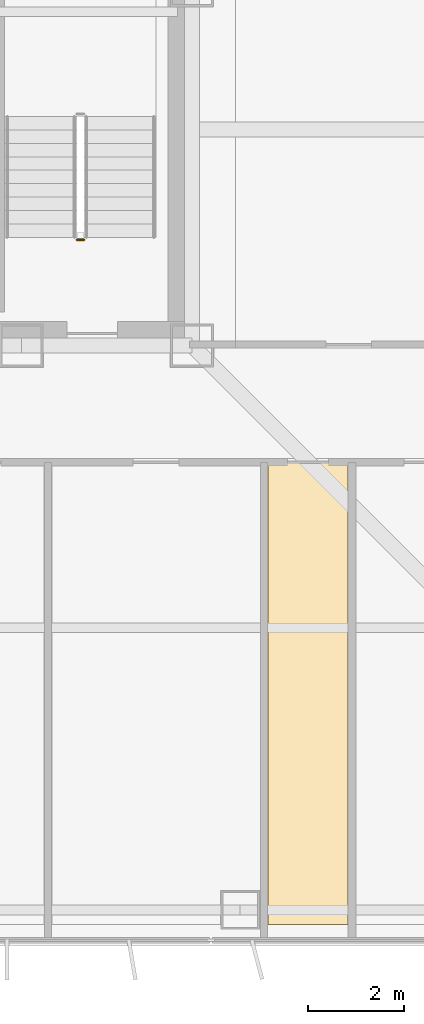
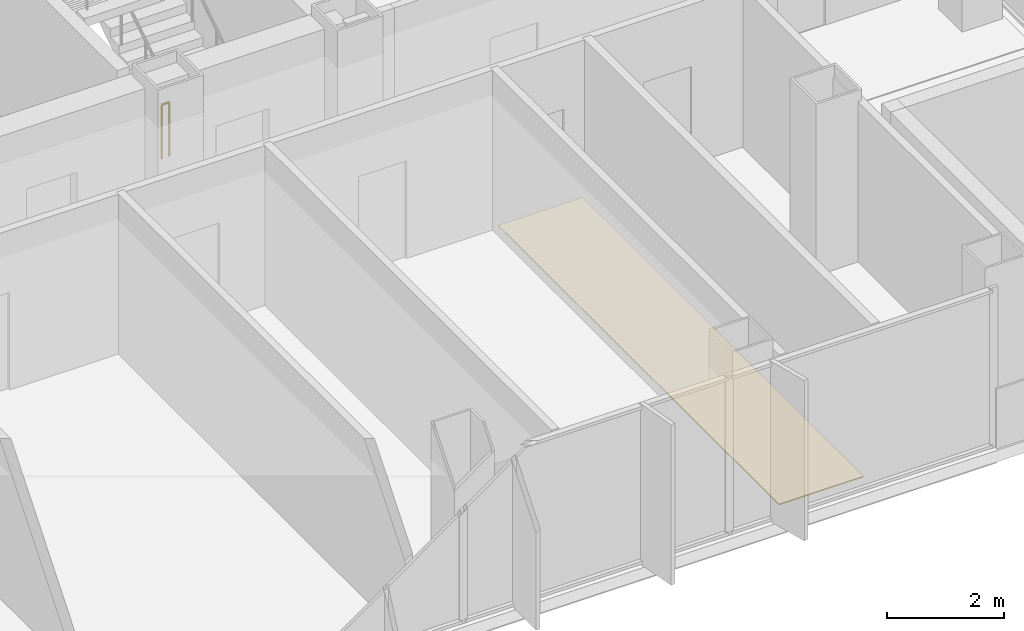
# One storey, part 14 of 18: 1 covering, 1 railing.
"""IFC4 building model written with IfcOpenShell, lengths in metres."""

import ifcopenshell
import ifcopenshell.guid

model = None  # the IFC model being written
_history = None  # IfcOwnerHistory: only IFC2X3 demands one
_inside = {}  # id of a spatial element -> (the spatial element, [elements in it])
_under = {}  # id of a project, library or spatial element -> (it, [spatial elements below it])
_declared = {}  # id of a project -> (the project, [libraries it declares])
_typed = {}  # id of a type object -> (the type object, [elements of that type])
_made_of = {}  # id of a material, layer set ... -> (it, [elements and type objects made of it])


def new_model(schema):
    """Start an empty IFC model of exactly this schema.

    Asked for "IFC4X3", IfcOpenShell would pick the latest addendum, in which some entities
    have other attributes; the version numbers below select the first issue.
    IFC2X3 requires an IfcOwnerHistory on every rooted entity: one is made here for all.
    """
    global model, _history
    if schema == "IFC4X3":
        model = ifcopenshell.file(schema_version=(4, 3, 0, 0))
    else:
        model = ifcopenshell.file(schema=schema)
    _inside.clear()
    _under.clear()
    _declared.clear()
    _typed.clear()
    _made_of.clear()
    _history = None
    if model.schema == "IFC2X3":
        org = make("IfcOrganization", Name="unknown")
        user = make(
            "IfcPersonAndOrganization",
            ThePerson=make("IfcPerson", FamilyName="unknown"),
            TheOrganization=org,
        )
        app = make(
            "IfcApplication",
            ApplicationDeveloper=org,
            Version="unknown",
            ApplicationFullName="unknown",
            ApplicationIdentifier="unknown",
        )
        _history = make(
            "IfcOwnerHistory",
            OwningUser=user,
            OwningApplication=app,
            ChangeAction="ADDED",
            CreationDate=0,
        )
    return model


def make(cls, **values):
    """One entity of the class cls with the attributes given. An attribute that is None is left unset."""
    return model.create_entity(
        cls, **{name: value for name, value in values.items() if value is not None}
    )


def rooted(cls, **values):
    """An entity with a GlobalId (a new one), such as an element, a storey or a relation."""
    return make(cls, GlobalId=ifcopenshell.guid.new(), OwnerHistory=_history, **values)


def si_unit(unit_type, name, prefix=None):
    """IfcSIUnit, for example si_unit("LENGTHUNIT", "METRE", prefix="MILLI")."""
    return make("IfcSIUnit", UnitType=unit_type, Prefix=prefix, Name=name)


def assignment(units):
    """IfcUnitAssignment: the units of a project."""
    return None if units is None else make("IfcUnitAssignment", Units=units)


def point(xyz):
    """IfcCartesianPoint."""
    return None if xyz is None else make("IfcCartesianPoint", Coordinates=xyz)


def direction(xyz):
    """IfcDirection."""
    return None if xyz is None else make("IfcDirection", DirectionRatios=xyz)


def frame(location, z_axis=None, x_axis=None):
    """IfcAxis2Placement3D, a coordinate frame: its origin and axes. An axis left out is left unset."""
    return make(
        "IfcAxis2Placement3D",
        Location=point(location),
        Axis=direction(z_axis),
        RefDirection=direction(x_axis),
    )


def frame_2d(location, x_axis=None):
    """IfcAxis2Placement2D, a coordinate frame in the plane: its origin and x axis."""
    return make(
        "IfcAxis2Placement2D", Location=point(location), RefDirection=direction(x_axis)
    )


def origin():
    """The frame at (0, 0, 0) with its axes left unset."""
    return frame((0.0, 0.0, 0.0))


def origin_2d():
    """The frame at (0, 0) in the plane with its x axis left unset."""
    return frame_2d((0.0, 0.0))


def place(relative_to, where):
    """IfcLocalPlacement: puts the frame where relative to a parent placement (None: the world)."""
    return make(
        "IfcLocalPlacement", PlacementRelTo=relative_to, RelativePlacement=where
    )


def context(
    kind, dimensions, precision=None, world=None, true_north=None, identifier=None
):
    """IfcGeometricRepresentationContext, for example the 3D "Model" context."""
    return make(
        "IfcGeometricRepresentationContext",
        ContextIdentifier=identifier,
        ContextType=kind,
        CoordinateSpaceDimension=dimensions,
        Precision=precision,
        WorldCoordinateSystem=world,
        TrueNorth=true_north,
    )


def subcontext(parent, identifier, kind, view, scale=None):
    """IfcGeometricRepresentationSubContext, for example "Body" below "Model"."""
    return make(
        "IfcGeometricRepresentationSubContext",
        ContextIdentifier=identifier,
        ContextType=kind,
        ParentContext=parent,
        TargetScale=scale,
        TargetView=view,
    )


def project(units=None, contexts=None):
    """IfcProject with its units and contexts."""
    return rooted(
        "IfcProject",
        Name="project",
        RepresentationContexts=contexts,
        UnitsInContext=assignment(units),
    )


def spatial(cls, under=None, at=None, **own):
    """A site, building, storey or space (cls), placed at a placement, below another one or the project."""
    s = rooted(cls, ObjectPlacement=at, **own)
    if under is not None:
        _under.setdefault(under.id(), (under, []))[1].append(s)
    return s


def polyline(points):
    """IfcPolyline through the points."""
    return make("IfcPolyline", Points=[point(p) for p in points])


def profile(cls, at=None, kind="AREA", **sizes):
    """A parametric profile (cls). Its sizes go by their IFC names, for example OverallWidth=200.0."""
    return make(cls, ProfileType=kind, Position=at, **sizes)


def circle(**sizes):
    """IfcCircleProfileDef."""
    return profile("IfcCircleProfileDef", **sizes)


def outline(outer, holes=None, kind="AREA"):
    """IfcArbitraryClosedProfileDef: a profile drawn as a closed curve; with holes, ...WithVoids."""
    if holes is None:
        return make("IfcArbitraryClosedProfileDef", ProfileType=kind, OuterCurve=outer)
    return make(
        "IfcArbitraryProfileDefWithVoids",
        ProfileType=kind,
        OuterCurve=outer,
        InnerCurves=holes,
    )


def extrude(swept, where, along, depth):
    """IfcExtrudedAreaSolid: the profile swept, set in the frame where, extruded along a direction by depth."""
    return make(
        "IfcExtrudedAreaSolid",
        SweptArea=swept,
        Position=where,
        ExtrudedDirection=direction(along),
        Depth=depth,
    )


def shape(context_of_items, identifier, shape_type, items):
    """IfcShapeRepresentation: the items that make up one representation, for example the "Body"."""
    return make(
        "IfcShapeRepresentation",
        ContextOfItems=context_of_items,
        RepresentationIdentifier=identifier,
        RepresentationType=shape_type,
        Items=items,
    )


def material(Name=None, Category=None):
    """IfcMaterial."""
    return make("IfcMaterial", Name=Name, Category=Category)


def layer(
    of_material, thickness, ventilated=None, Name=None, Category=None, Priority=None
):
    """IfcMaterialLayer: one layer of a wall or slab, of a material (None: an air gap)."""
    return make(
        "IfcMaterialLayer",
        Material=of_material,
        LayerThickness=thickness,
        IsVentilated=ventilated,
        Name=Name,
        Category=Category,
        Priority=Priority,
    )


def layer_set(layers, Name=None):
    """IfcMaterialLayerSet."""
    return make("IfcMaterialLayerSet", MaterialLayers=layers, LayerSetName=Name)


def made_of(thing, what):
    """Note that an element or type object is made of a material, layer set ...; save() writes the relation."""
    if what is not None:
        _made_of.setdefault(what.id(), (what, []))[1].append(thing)
    return thing


def type_object(cls, material=None, **own):
    """A type object (cls), such as IfcWallType, which elements share."""
    return made_of(rooted(cls, **own), material)


def element(
    cls,
    number,
    at=None,
    inside=None,
    cuts=None,
    type_object=None,
    material=None,
    context=None,
    identifier="Body",
    shape_type=None,
    held_by="IfcProductDefinitionShape",
    body=None,
    shapes=None,
    **own,
):
    """One element of the class cls, such as IfcWall. Its Tag is "e" and its number.

    at: its placement. inside: the storey or other place that contains it. cuts: it is an
    opening in that element (IfcRelVoidsElement). A single representation is given by context,
    identifier, shape_type and body (its items); several are given by shapes. held_by: the class
    of the entity that holds the representations. save() writes the other relations.
    """
    e = rooted(cls, Tag="e%d" % number, ObjectPlacement=at, **own)
    if body is not None:
        shapes = [shape(context, identifier, shape_type, body)]
    if shapes is not None:
        e.Representation = make(held_by, Representations=shapes)
    if inside is not None:
        _inside.setdefault(inside.id(), (inside, []))[1].append(e)
    if cuts is not None:
        rooted(
            "IfcRelVoidsElement", RelatingBuildingElement=cuts, RelatedOpeningElement=e
        )
    if type_object is not None:
        _typed.setdefault(type_object.id(), (type_object, []))[1].append(e)
    return made_of(e, material)


def aggregate(whole, parts):
    """IfcRelAggregates: a whole, such as a stair, and the parts it consists of."""
    return rooted("IfcRelAggregates", RelatingObject=whole, RelatedObjects=parts)


def save(model, path):
    """Write the relations noted so far, then the file.

    IfcRelAggregates (storeys below a building ...), IfcRelContainedInSpatialStructure (elements
    in a storey), IfcRelDefinesByType, IfcRelAssociatesMaterial and IfcRelDeclares: one each for
    every whole, place, type object, material and project.
    """
    for whole, parts in _under.values():
        aggregate(whole, parts)
    for where, things in _inside.values():
        rooted(
            "IfcRelContainedInSpatialStructure",
            RelatedElements=things,
            RelatingStructure=where,
        )
    for kind, things in _typed.values():
        rooted("IfcRelDefinesByType", RelatedObjects=things, RelatingType=kind)
    for what, things in _made_of.values():
        rooted("IfcRelAssociatesMaterial", RelatedObjects=things, RelatingMaterial=what)
    for by, libraries in _declared.values():
        rooted("IfcRelDeclares", RelatingContext=by, RelatedDefinitions=libraries)
    model.write(path)


model = new_model("IFC4")

# Units and contexts
model_context = context("Model", 3, precision=1e-05, world=origin(), true_north=direction((0.0, 1.0)))
body_context = subcontext(model_context, "Body", "Model", "MODEL_VIEW")
ifc_project = project(units=[si_unit("LENGTHUNIT", "METRE"), si_unit("AREAUNIT", "SQUARE_METRE"), si_unit("VOLUMEUNIT", "CUBIC_METRE"), si_unit("PLANEANGLEUNIT", "RADIAN"), si_unit("MASSUNIT", "GRAM", prefix="KILO")], contexts=[model_context])

# Site, building, storey
site_placement = place(None, origin())
site = spatial("IfcSite", under=ifc_project, at=site_placement, CompositionType="ELEMENT")
building_placement = place(site_placement, origin())
building = spatial("IfcBuilding", under=site, at=building_placement, Name="Trevonay Congress Spire", CompositionType="ELEMENT")
storey_placement = place(building_placement, frame((0.0, 0.0, 173.39990234375)))
storey = spatial("IfcBuildingStorey", under=building, at=storey_placement, Name="L44", CompositionType="ELEMENT", Elevation=173.39990234375)

# Covering
ifc_material_1 = material(Name="Polished Granite Floor Tile", Category="masonry")
ifc_layer = layer(ifc_material_1, 0.02001953125, Name="Polished Granite Floor Tile")
ifc_layer_set = layer_set([ifc_layer], Name="Polished Granite Floor Tile")
covering_type = type_object("IfcCoveringType", Name="COV-FLOOR-STONE", PredefinedType="FLOORING", material=ifc_layer_set)
covering_placement = place(storey_placement, origin())
element("IfcCovering", 1, at=covering_placement, inside=storey, type_object=covering_type, Name="L44 Accessible WC floor finish", PredefinedType="FLOORING", context=body_context, shape_type="SweptSolid", body=[
    extrude(outline(polyline([(9.080078125, -19.550048828125), (10.75, -19.550048828125), (10.75, -9.929931640625), (9.080078125, -9.929931640625), (9.080078125, -19.550048828125)])), origin(), (0.0, 0.0, 1.0), 0.02001953125),
])

# Railing
ifc_material_2 = material(Name="Pale Anodised Aluminium EN AW-6063-T6", Category="aluminium")
railing_type = type_object("IfcRailingType", Name="RAL-STAIR-GUARD-110", PredefinedType="GUARDRAIL", material=ifc_material_2)
railing_placement = place(storey_placement, frame((5.25, -5.300048828125, 0.0)))
element("IfcRailing", 2, at=railing_placement, inside=storey, type_object=railing_type, Name="L44 ST-2 stair guard 4", PredefinedType="GUARDRAIL", context=body_context, shape_type="SweptSolid", body=[
    extrude(circle(Radius=0.02392578125, at=origin_2d()), frame((0.0, 0.0, 1.1259765625), z_axis=(-1.0, 0.0, 0.0), x_axis=(0.0, -1.0, 0.0)), (0.0, 0.0, 1.0), 0.14990234375),
    extrude(circle(Radius=0.02099609375, at=origin_2d()), origin(), (0.0, 0.0, 1.0), 1.101806640625),
    extrude(circle(Radius=0.02099609375, at=origin_2d()), frame((-0.14990234375, 0.0, 0.0)), (0.0, 0.0, 1.0), 1.101806640625),
])

save(model, "model.ifc")
